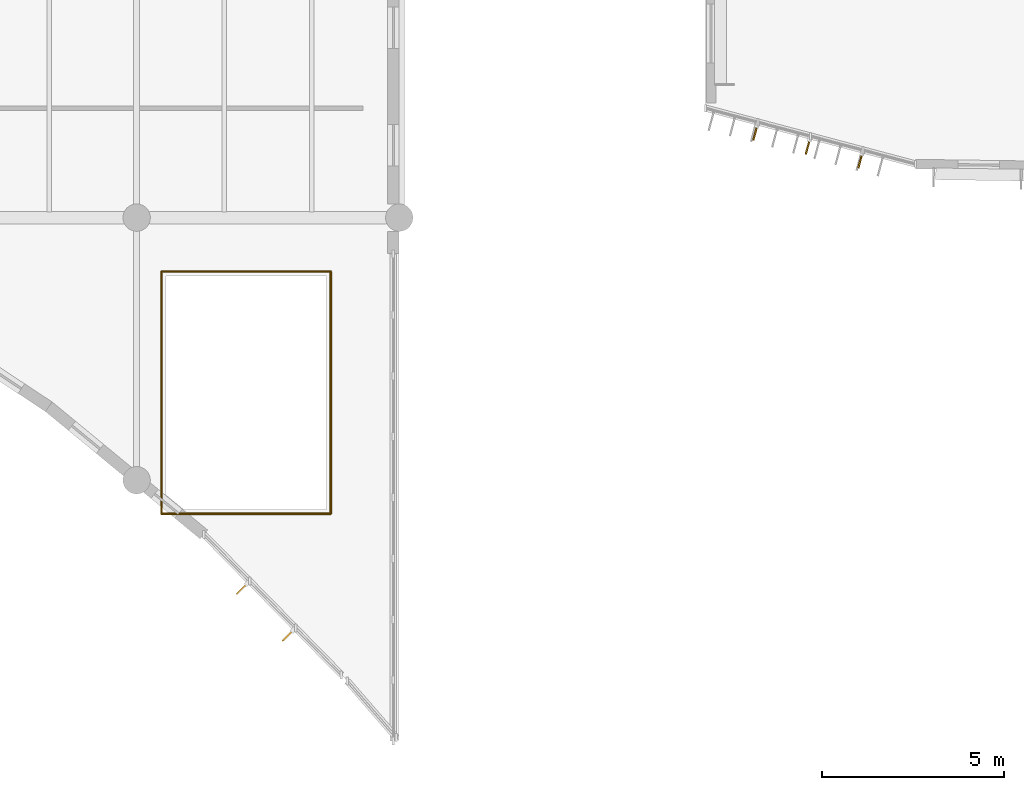
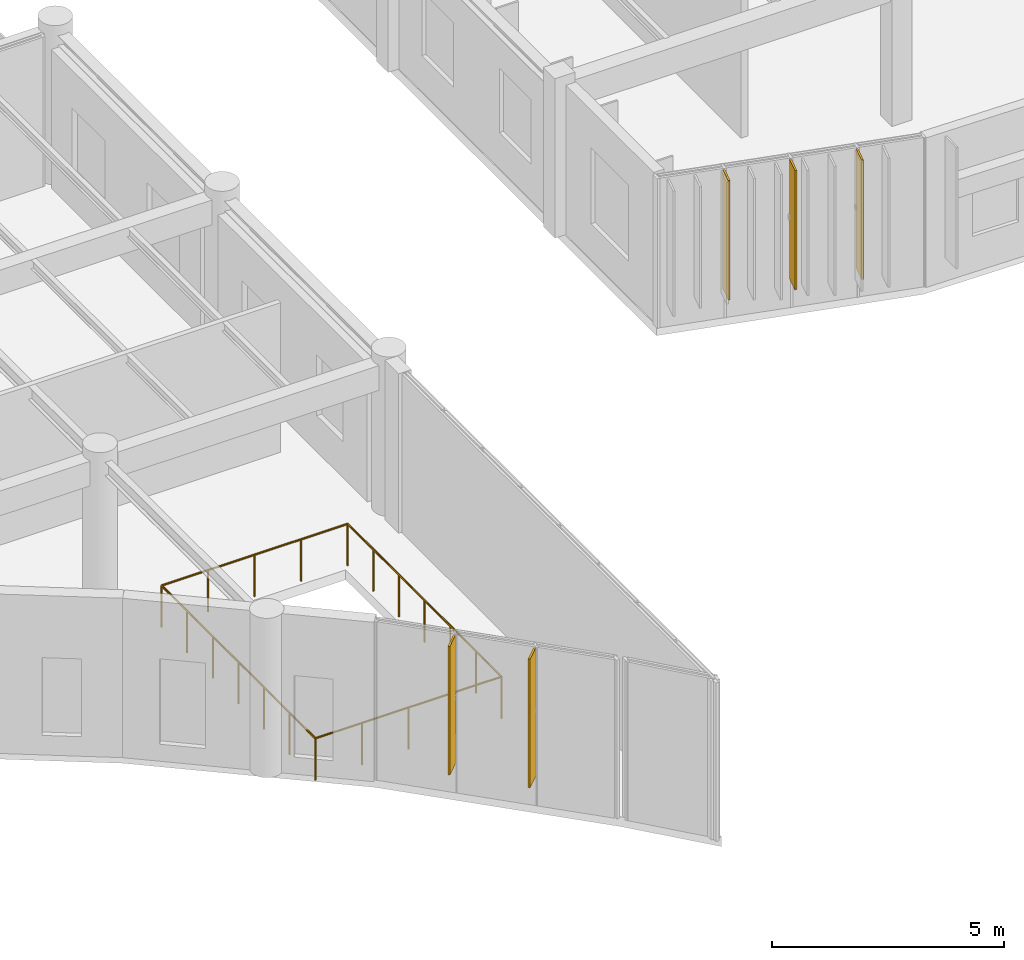
# One storey, part 110 of 122: 5 shading devices, 4 railings.
"""IFC4 building model written with IfcOpenShell, lengths in metres."""

from ifc_helpers import new_model, si_unit, direction, frame, origin, origin_2d, place, context, subcontext, project, spatial, rectangle, circle, extrude, material, layer, layer_set, material_profile, profile_set, type_object, element, save


model = new_model("IFC4")

# Units and contexts
model_context = context("Model", 3, precision=1e-05, world=origin(), true_north=direction((0.0, 1.0)))
body_context = subcontext(model_context, "Body", "Model", "MODEL_VIEW")
ifc_project = project(units=[si_unit("LENGTHUNIT", "METRE"), si_unit("AREAUNIT", "SQUARE_METRE"), si_unit("VOLUMEUNIT", "CUBIC_METRE"), si_unit("PLANEANGLEUNIT", "RADIAN"), si_unit("MASSUNIT", "GRAM", prefix="KILO")], contexts=[model_context])

# Site, building, storey
site_placement = place(None, origin())
site = spatial("IfcSite", under=ifc_project, at=site_placement, CompositionType="ELEMENT")
building_placement = place(site_placement, origin())
building = spatial("IfcBuilding", under=site, at=building_placement, Name="Tazoul Stagehouse", CompositionType="ELEMENT")
storey_placement = place(building_placement, frame((0.0, 0.0, 4.800048828125)))
storey = spatial("IfcBuildingStorey", under=building, at=storey_placement, Name="L01", CompositionType="ELEMENT", Elevation=4.800048828125)

# Shading devices
ifc_material_1 = material(Name="Anodised Bronze Aluminium 6063-T6", Category="aluminium")
ifc_layer_1 = layer(ifc_material_1, 0.050048828125, Name="Anodised Bronze Aluminium 6063-T6")
ifc_layer_set_1 = layer_set([ifc_layer_1], Name="Anodised Bronze Aluminium 6063-T6")
shading_device_type_1 = type_object("IfcShadingDeviceType", Name="Angled Acoustic Sun-Screen Blade 460", PredefinedType="USERDEFINED", material=ifc_layer_set_1)
shading_device_1_placement = place(storey_placement, frame((112.699951171875, 5.634521484375, 0.75), z_axis=(0.0, 0.0, 1.0), x_axis=(0.700246698398, -0.713900946479, 0.0)))
element("IfcShadingDevice", 1, at=shading_device_1_placement, inside=storey, type_object=shading_device_type_1, Name="Shading Louvre FIN-02 CW-V5-CRN-L01-C17-SHD01", ObjectType="FIN", PredefinedType="USERDEFINED", context=body_context, shape_type="SweptSolid", body=[
    extrude(rectangle(XDim=0.044921875, YDim=0.4599609375, at=origin_2d()), origin(), (0.0, 0.0, 1.0), 3.389892578125),
])
for number, where, z_axis, x_axis, name in (
    (2, (126.767578125, 18.146484375, 0.75), (0.0, 0.0, 1.0), (0.966413318036, -0.256992798969, 0.0), "Shading Louvre FIN-02 CW-V4-DRUM-L01-S01-SHD01"),
    (3, (129.647216796875, 17.380859375, 0.75), (0.0, 0.0, 1.0), (0.966413318036, -0.256992798969, 0.0), "Shading Louvre FIN-02 CW-V4-DRUM-L01-S01-SHD03"),
):
    element("IfcShadingDevice", number, at=place(storey_placement, frame(where, z_axis=z_axis, x_axis=x_axis)), inside=storey, type_object=shading_device_type_1, Name=name, ObjectType="FIN", PredefinedType="USERDEFINED", context=body_context, shape_type="SweptSolid", body=[
        extrude(rectangle(XDim=0.044921875, YDim=0.4599609375, at=origin_2d()), origin(), (0.0, 0.0, 1.0), 3.14990234375),
    ])

# Railings
ifc_material_2 = material(Name="Brushed Stainless Steel 316L", Category="steel")
ifc_material_profile = material_profile(ifc_material_2, circle(Radius=0.02392578125, at=origin_2d()), Name="SS RAIL D48")
ifc_profile_set = profile_set([ifc_material_profile], Name="Brushed Stainless Steel 316L")
railing_type = type_object("IfcRailingType", Name="Architectural Guardrail H1120", PredefinedType="GUARDRAIL", material=ifc_profile_set)
railing_1_placement = place(storey_placement, frame((110.47998046875, 7.679931640625, 0.0)))
element("IfcRailing", 4, at=railing_1_placement, inside=storey, type_object=railing_type, Name="L01 Open-Edge Guard GRD-01 (GRD-VOID7-S1)", PredefinedType="GUARDRAIL", context=body_context, shape_type="SweptSolid", body=[
    extrude(circle(Radius=0.02392578125, at=origin_2d()), frame((0.0, 0.0, 1.09619140625), z_axis=(1.0, 0.0, 0.0), x_axis=(0.0, 1.0, 0.0)), (0.0, 0.0, 1.0), 4.64013671875),
    extrude(circle(Radius=0.02099609375, at=origin_2d()), origin(), (0.0, 0.0, 1.0), 1.072021484375),
    extrude(circle(Radius=0.02099609375, at=origin_2d()), frame((1.16015625, 0.0, 0.0)), (0.0, 0.0, 1.0), 1.072021484375),
    extrude(circle(Radius=0.02099609375, at=origin_2d()), frame((2.320068359375, 0.0, 0.0)), (0.0, 0.0, 1.0), 1.072021484375),
    extrude(circle(Radius=0.02099609375, at=origin_2d()), frame((3.47998046875, 0.0, 0.0)), (0.0, 0.0, 1.0), 1.072021484375),
    extrude(circle(Radius=0.02099609375, at=origin_2d()), frame((4.64013671875, 0.0, 0.0)), (0.0, 0.0, 1.0), 1.072021484375),
])
railing_2_placement = place(storey_placement, frame((115.1201171875, 7.679931640625, 0.0)))
element("IfcRailing", 5, at=railing_2_placement, inside=storey, type_object=railing_type, Name="L01 Open-Edge Guard GRD-01 (GRD-VOID7-E1)", PredefinedType="GUARDRAIL", context=body_context, shape_type="SweptSolid", body=[
    extrude(circle(Radius=0.02392578125, at=origin_2d()), frame((0.0, 0.0, 1.09619140625), z_axis=(0.0, 1.0, 0.0), x_axis=(-1.0, 0.0, 0.0)), (0.0, 0.0, 1.0), 6.64013671875),
    extrude(circle(Radius=0.02099609375, at=origin_2d()), origin(), (0.0, 0.0, 1.0), 1.072021484375),
    extrude(circle(Radius=0.02099609375, at=origin_2d()), frame((0.0, 1.106689453125, 0.0)), (0.0, 0.0, 1.0), 1.072021484375),
    extrude(circle(Radius=0.02099609375, at=origin_2d()), frame((0.0, 2.21337890625, 0.0)), (0.0, 0.0, 1.0), 1.072021484375),
    extrude(circle(Radius=0.02099609375, at=origin_2d()), frame((0.0, 3.320068359375, 0.0)), (0.0, 0.0, 1.0), 1.072021484375),
    extrude(circle(Radius=0.02099609375, at=origin_2d()), frame((0.0, 4.4267578125, 0.0)), (0.0, 0.0, 1.0), 1.072021484375),
    extrude(circle(Radius=0.02099609375, at=origin_2d()), frame((0.0, 5.533447265625, 0.0)), (0.0, 0.0, 1.0), 1.072021484375),
    extrude(circle(Radius=0.02099609375, at=origin_2d()), frame((0.0, 6.64013671875, 0.0)), (0.0, 0.0, 1.0), 1.072021484375),
])
railing_3_placement = place(storey_placement, frame((115.1201171875, 14.320068359375, 0.0)))
element("IfcRailing", 6, at=railing_3_placement, inside=storey, type_object=railing_type, Name="L01 Open-Edge Guard GRD-01 (GRD-VOID7-N1)", PredefinedType="GUARDRAIL", context=body_context, shape_type="SweptSolid", body=[
    extrude(circle(Radius=0.02392578125, at=origin_2d()), frame((0.0, 0.0, 1.09619140625), z_axis=(-1.0, 0.0, 0.0), x_axis=(0.0, -1.0, 0.0)), (0.0, 0.0, 1.0), 4.64013671875),
    extrude(circle(Radius=0.02099609375, at=origin_2d()), origin(), (0.0, 0.0, 1.0), 1.072021484375),
    extrude(circle(Radius=0.02099609375, at=origin_2d()), frame((-1.16015625, 0.0, 0.0)), (0.0, 0.0, 1.0), 1.072021484375),
    extrude(circle(Radius=0.02099609375, at=origin_2d()), frame((-2.320068359375, 0.0, 0.0)), (0.0, 0.0, 1.0), 1.072021484375),
    extrude(circle(Radius=0.02099609375, at=origin_2d()), frame((-3.47998046875, 0.0, 0.0)), (0.0, 0.0, 1.0), 1.072021484375),
    extrude(circle(Radius=0.02099609375, at=origin_2d()), frame((-4.64013671875, 0.0, 0.0)), (0.0, 0.0, 1.0), 1.072021484375),
])
railing_4_placement = place(storey_placement, frame((110.47998046875, 14.320068359375, 0.0)))
element("IfcRailing", 7, at=railing_4_placement, inside=storey, type_object=railing_type, Name="L01 Open-Edge Guard GRD-01 (GRD-VOID7-W1)", PredefinedType="GUARDRAIL", context=body_context, shape_type="SweptSolid", body=[
    extrude(circle(Radius=0.02392578125, at=origin_2d()), frame((0.0, 0.0, 1.09619140625), z_axis=(0.0, -1.0, 0.0), x_axis=(1.0, 0.0, 0.0)), (0.0, 0.0, 1.0), 6.64013671875),
    extrude(circle(Radius=0.02099609375, at=origin_2d()), origin(), (0.0, 0.0, 1.0), 1.072021484375),
    extrude(circle(Radius=0.02099609375, at=origin_2d()), frame((0.0, -1.106689453125, 0.0)), (0.0, 0.0, 1.0), 1.072021484375),
    extrude(circle(Radius=0.02099609375, at=origin_2d()), frame((0.0, -2.21337890625, 0.0)), (0.0, 0.0, 1.0), 1.072021484375),
    extrude(circle(Radius=0.02099609375, at=origin_2d()), frame((0.0, -3.320068359375, 0.0)), (0.0, 0.0, 1.0), 1.072021484375),
    extrude(circle(Radius=0.02099609375, at=origin_2d()), frame((0.0, -4.4267578125, 0.0)), (0.0, 0.0, 1.0), 1.072021484375),
    extrude(circle(Radius=0.02099609375, at=origin_2d()), frame((0.0, -5.533447265625, 0.0)), (0.0, 0.0, 1.0), 1.072021484375),
    extrude(circle(Radius=0.02099609375, at=origin_2d()), frame((0.0, -6.64013671875, 0.0)), (0.0, 0.0, 1.0), 1.072021484375),
])

# Shading devices
ifc_layer_2 = layer(ifc_material_1, 0.044921875, Name="Anodised Bronze Aluminium 6063-T6")
ifc_layer_set_2 = layer_set([ifc_layer_2], Name="Anodised Bronze Aluminium 6063-T6")
shading_device_type_2 = type_object("IfcShadingDeviceType", Name="Vertical Extruded Terracotta-Bronze Louvre 460", PredefinedType="JALOUSIE", material=ifc_layer_set_2)
shading_device_2_placement = place(storey_placement, frame((113.9580078125, 4.35205078125, 0.75), z_axis=(0.0, 0.0, 1.0), x_axis=(0.700246698398, -0.713900946479, 0.0)))
element("IfcShadingDevice", 8, at=shading_device_2_placement, inside=storey, type_object=shading_device_type_2, Name="Shading Louvre FIN-01 CW-V5-CRN-L01-C17-SHD02", PredefinedType="JALOUSIE", context=body_context, shape_type="SweptSolid", body=[
    extrude(rectangle(XDim=0.044921875, YDim=0.4599609375, at=origin_2d()), origin(), (0.0, 0.0, 1.0), 3.389892578125),
])
shading_device_3_placement = place(storey_placement, frame((128.20751953125, 17.763671875, 0.75), z_axis=(0.0, 0.0, 1.0), x_axis=(0.966413318036, -0.256992798969, 0.0)))
element("IfcShadingDevice", 9, at=shading_device_3_placement, inside=storey, type_object=shading_device_type_2, Name="Shading Louvre FIN-01 CW-V4-DRUM-L01-S01-SHD02", PredefinedType="JALOUSIE", context=body_context, shape_type="SweptSolid", body=[
    extrude(rectangle(XDim=0.044921875, YDim=0.4599609375, at=origin_2d()), origin(), (0.0, 0.0, 1.0), 3.14990234375),
])

save(model, "model.ifc")
